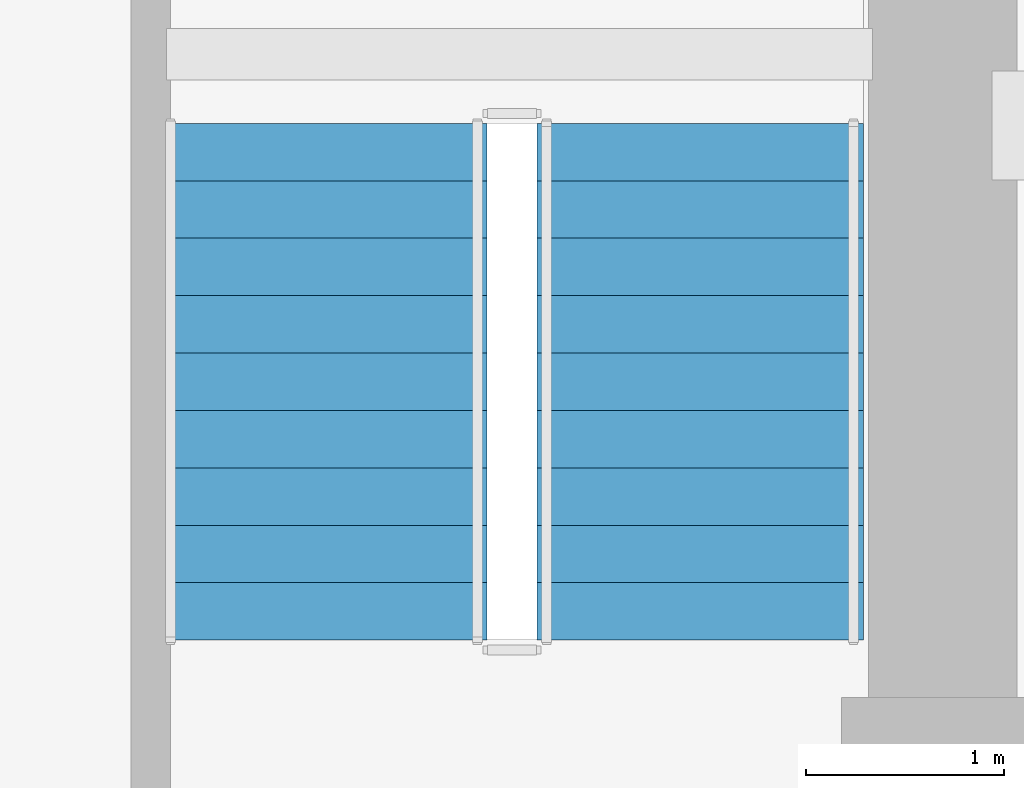
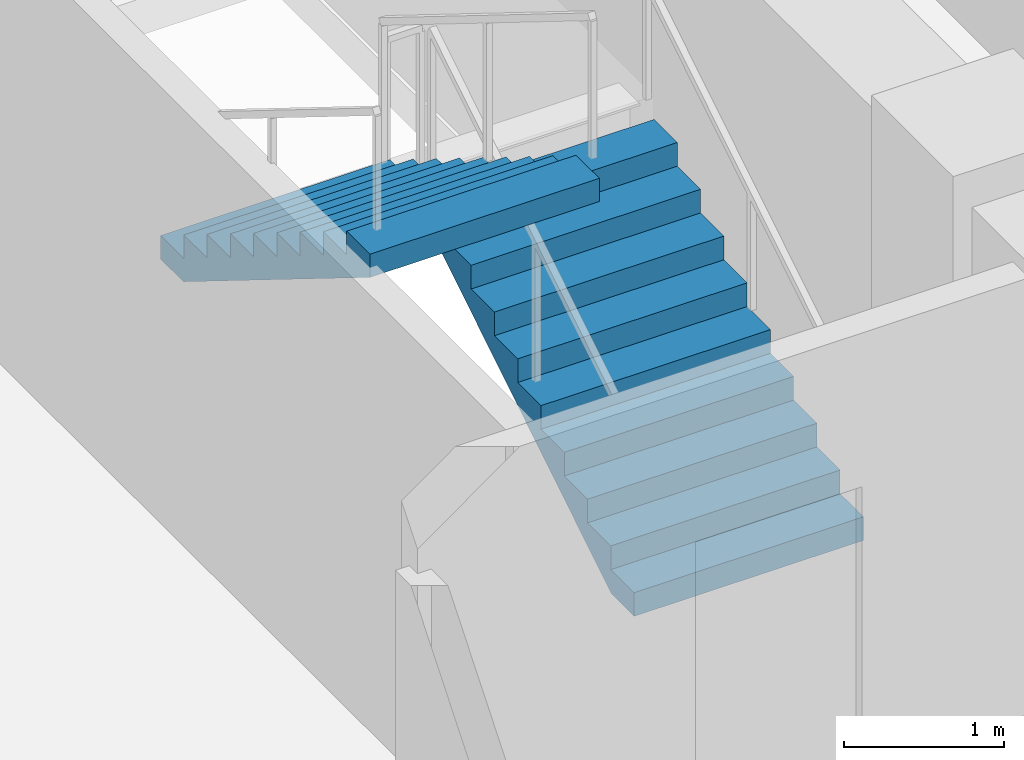
# One storey, part 10 of 12: 2 stair flights, 1 element without a shape of its own.
"""IFC4 building model written with IfcOpenShell, lengths in metres."""

from ifc_helpers import new_model, si_unit, derived_unit, direction, frame, origin, place, context, subcontext, project, spatial, polyline, outline, extrude, material, type_object, element, aggregate, save


model = new_model("IFC4")

# Units and contexts
model_context = context("Model", 3, precision=1e-05, world=origin(), true_north=direction((0.0, 1.0)))
body_context = subcontext(model_context, "Body", "Model", "MODEL_VIEW")
ifc_project = project(units=[si_unit("LENGTHUNIT", "METRE"), si_unit("AREAUNIT", "SQUARE_METRE"), si_unit("VOLUMEUNIT", "CUBIC_METRE"), si_unit("PLANEANGLEUNIT", "RADIAN"), si_unit("MASSUNIT", "GRAM", prefix="KILO"), derived_unit("THERMALTRANSMITTANCEUNIT", [(si_unit("POWERUNIT", "WATT"), 1), (si_unit("LENGTHUNIT", "METRE"), -2), (si_unit("THERMODYNAMICTEMPERATUREUNIT", "KELVIN"), -1)])], contexts=[model_context])

# Site, building, storey
site_placement = place(None, origin())
site = spatial("IfcSite", under=ifc_project, at=site_placement, CompositionType="ELEMENT")
building_placement = place(site_placement, origin())
building = spatial("IfcBuilding", under=site, at=building_placement, Name="Koralith Skygarden Medical Center", CompositionType="ELEMENT")
storey_placement = place(building_placement, frame((0.0, 0.0, 152.820068359375)))
storey = spatial("IfcBuildingStorey", under=building, at=storey_placement, Name="L39", CompositionType="ELEMENT", Elevation=152.820068359375)

# Stair, stair flights
ifc_material = material(Name="Concrete C45/55", Category="concrete")
stair_type = type_object("IfcStairType", Name="Core Exit Dogleg Concrete Stair", PredefinedType="HALF_TURN_STAIR", material=ifc_material)
stair_placement = place(storey_placement, origin())
stair = element("IfcStair", 1, at=stair_placement, inside=storey, type_object=stair_type, Name="L39 Smokeproof Exit Stair ST2", PredefinedType="HALF_TURN_STAIR")
stair_flight_type = type_object("IfcStairFlightType", Name="Core Exit Concrete Stair Flight 1650", PredefinedType="STRAIGHT", material=ifc_material)
stair_flight_1_placement = place(storey_placement, frame((46.97509765625, 26.699951171875, 0.0), z_axis=(0.0, 0.0, 1.0), x_axis=(0.0, 1.0, 0.0)))
stair_flight_1 = element("IfcStairFlight", 2, at=stair_flight_1_placement, type_object=stair_flight_type, Name="ST2 flight 1", NumberOfRisers=10, NumberOfTreads=9, PredefinedType="STRAIGHT", RiserHeight=0.18, TreadLength=0.29, context=body_context, shape_type="SweptSolid", body=[
    extrude(outline(polyline([(0.0, 0.0), (0.0, 0.179931640625), (0.2900390625, 0.179931640625), (0.2900390625, 0.360107421875), (0.580078125, 0.360107421875), (0.580078125, 0.5400390625), (0.8701171875, 0.5400390625), (0.8701171875, 0.719970703125), (1.159912109375, 0.719970703125), (1.159912109375, 0.89990234375), (1.449951171875, 0.89990234375), (1.449951171875, 1.080078125), (1.739990234375, 1.080078125), (1.739990234375, 1.260009765625), (2.030029296875, 1.260009765625), (2.030029296875, 1.43994140625), (2.320068359375, 1.43994140625), (2.320068359375, 1.6201171875), (2.610107421875, 1.6201171875), (2.610107421875, 1.800048828125), (2.610107421875, 1.443603515625), (0.2841796875, 0.0), (0.0, 0.0)])), frame((0.0, 0.824951171875, 0.0), z_axis=(0.0, -1.0, 0.0), x_axis=(1.0, 0.0, 0.0)), (0.0, 0.0, 1.0), 1.64990234375),
])
stair_flight_2_placement = place(storey_placement, frame((45.074951171875, 29.31005859375, 1.800048828125), z_axis=(0.0, 0.0, 1.0), x_axis=(0.0, -1.0, 0.0)))
stair_flight_2 = element("IfcStairFlight", 3, at=stair_flight_2_placement, type_object=stair_flight_type, Name="ST2 flight 2", NumberOfRisers=10, NumberOfTreads=9, PredefinedType="STRAIGHT", RiserHeight=0.18, TreadLength=0.29, context=body_context, shape_type="SweptSolid", body=[
    extrude(outline(polyline([(0.0, 0.0), (0.0, 0.179931640625), (0.2900390625, 0.179931640625), (0.2900390625, 0.360107421875), (0.580078125, 0.360107421875), (0.580078125, 0.5400390625), (0.8701171875, 0.5400390625), (0.8701171875, 0.719970703125), (1.159912109375, 0.719970703125), (1.159912109375, 0.89990234375), (1.449951171875, 0.89990234375), (1.449951171875, 1.080078125), (1.739990234375, 1.080078125), (1.739990234375, 1.260009765625), (2.030029296875, 1.260009765625), (2.030029296875, 1.43994140625), (2.320068359375, 1.43994140625), (2.320068359375, 1.6201171875), (2.610107421875, 1.6201171875), (2.610107421875, 1.800048828125), (2.610107421875, 1.443603515625), (0.2841796875, 0.0), (0.0, 0.0)])), frame((0.0, 0.824951171875, 0.0), z_axis=(0.0, -1.0, 0.0), x_axis=(1.0, 0.0, 0.0)), (0.0, 0.0, 1.0), 1.64990234375),
])
aggregate(stair, [stair_flight_1, stair_flight_2])

save(model, "model.ifc")
